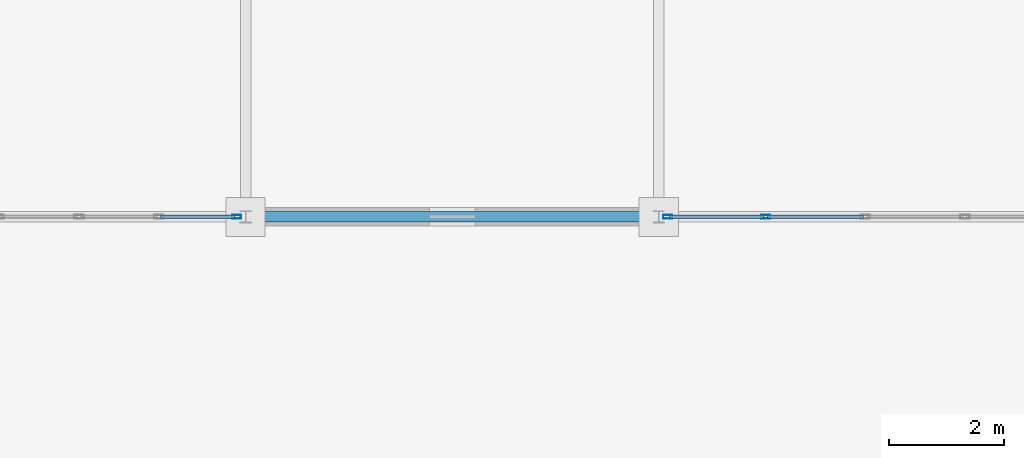
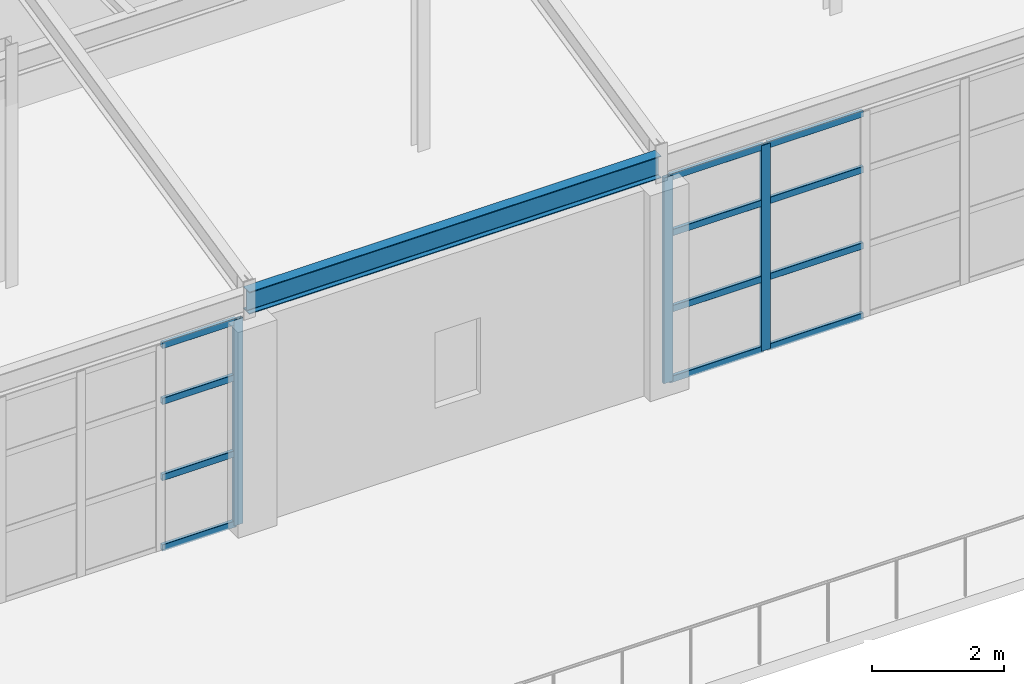
# One storey, part 49 of 101: 15 members, 1 beam, 2 elements without a shape of their own.
"""IFC4 building model written with IfcOpenShell, lengths in metres."""

from ifc_helpers import new_model, si_unit, direction, frame, origin, origin_2d, place, context, subcontext, project, spatial, hollow_rectangle, i_section, extrude, material, layer, layer_set, material_profile, profile_set, type_object, element, aggregate, save


model = new_model("IFC4")

# Units and contexts
model_context = context("Model", 3, precision=1e-05, world=origin(), true_north=direction((0.0, 1.0)))
body_context = subcontext(model_context, "Body", "Model", "MODEL_VIEW")
ifc_project = project(units=[si_unit("LENGTHUNIT", "METRE"), si_unit("AREAUNIT", "SQUARE_METRE"), si_unit("VOLUMEUNIT", "CUBIC_METRE"), si_unit("PLANEANGLEUNIT", "RADIAN"), si_unit("MASSUNIT", "GRAM", prefix="KILO")], contexts=[model_context])

# Site, building, storey
site_placement = place(None, origin())
site = spatial("IfcSite", under=ifc_project, at=site_placement, CompositionType="ELEMENT")
building_placement = place(site_placement, origin())
building = spatial("IfcBuilding", under=site, at=building_placement, Name="Kemerveld Promenade Tramway Depot", CompositionType="ELEMENT")
storey_placement = place(building_placement, frame((0.0, 0.0, 9.89990234375)))
storey = spatial("IfcBuildingStorey", under=building, at=storey_placement, Name="L02", CompositionType="ELEMENT", Elevation=9.89990234375)

# Beam
ifc_material_1 = material(Name="Steel S355", Category="steel")
ifc_material_profile_1 = material_profile(ifc_material_1, i_section(OverallWidth=0.1787109375, OverallDepth=0.409423828125, WebThickness=0.0087890625, FlangeThickness=0.014404296875, FilletRadius=0.01025390625, at=origin_2d()), Name="406x178x67 UB")
ifc_profile_set_1 = profile_set([ifc_material_profile_1], Name="Steel S355")
beam_type = type_object("IfcBeamType", Name="BM-G07", PredefinedType="BEAM", material=ifc_profile_set_1)
beam_placement = place(storey_placement, frame((64.800048828125, 7.199951171875, 4.0703125), z_axis=(1.0, 0.0, 0.0), x_axis=(0.0, 1.0, 0.0)))
element("IfcBeam", 1, at=beam_placement, inside=storey, type_object=beam_type, Name="BMX-L02-10-11-B", PredefinedType="BEAM", context=body_context, shape_type="SweptSolid", body=[
    extrude(i_section(OverallWidth=0.1787109375, OverallDepth=0.409423828125, WebThickness=0.0087890625, FlangeThickness=0.014404296875, FilletRadius=0.01025390625, at=origin_2d()), origin(), (0.0, 0.0, 1.0), 7.199951171875),
])

# Curtain wall, members
ifc_material_2 = material(Name="Bronze anodised aluminium and solar glass", Category="aluminium")
ifc_layer_1 = layer(ifc_material_2, 0.159912109375)
ifc_layer_set_1 = layer_set([ifc_layer_1], Name="CW-SYS-11")
curtain_wall_type_1 = type_object("IfcCurtainWallType", Name="CW-SYS-11", PredefinedType="USERDEFINED", material=ifc_layer_set_1)
curtain_wall_1_placement = place(storey_placement, origin())
curtain_wall_1 = element("IfcCurtainWall", 2, at=curtain_wall_1_placement, inside=storey, type_object=curtain_wall_type_1, Name="CW-L02-V4S-08", ObjectType="GLAZED_CURTAIN_WALL", PredefinedType="USERDEFINED")
ifc_material_3 = material(Name="Bronze anodised aluminium", Category="aluminium")
ifc_material_profile_2 = material_profile(ifc_material_3, hollow_rectangle(XDim=0.06494140625, YDim=0.159912109375, WallThickness=0.00390625, InnerFilletRadius=0.001953125, OuterFilletRadius=0.00390625, at=origin_2d()), Name="CW-MUL-160x65")
ifc_profile_set_2 = profile_set([ifc_material_profile_2], Name="Bronze anodised aluminium")
member_type_1 = type_object("IfcMemberType", Name="CW-MUL-A", PredefinedType="MULLION", material=ifc_profile_set_2)
member_1_placement = place(storey_placement, frame((73.8623046875, 7.199951171875, 0.0), z_axis=(0.0, 0.0, 1.0), x_axis=(0.0, -1.0, 0.0)))
member_1 = element("IfcMember", 3, at=member_1_placement, type_object=member_type_1, Name="CW11 mullion 4", PredefinedType="MULLION", context=body_context, shape_type="SweptSolid", body=[
    extrude(hollow_rectangle(XDim=0.06494140625, YDim=0.159912109375, WallThickness=0.00390625, InnerFilletRadius=0.001953125, OuterFilletRadius=0.00390625, at=origin_2d()), origin(), (0.0, 0.0, 1.0), 3.800048828125),
])
member_2_placement = place(storey_placement, frame((72.1572265625, 7.199951171875, 0.0), z_axis=(0.0, 0.0, 1.0), x_axis=(0.0, -1.0, 0.0)))
member_2 = element("IfcMember", 4, at=member_2_placement, type_object=member_type_1, Name="CW11 mullion 5", PredefinedType="MULLION", context=body_context, shape_type="SweptSolid", body=[
    extrude(hollow_rectangle(XDim=0.06494140625, YDim=0.159912109375, WallThickness=0.00390625, InnerFilletRadius=0.001953125, OuterFilletRadius=0.00390625, at=origin_2d()), origin(), (0.0, 0.0, 1.0), 3.800048828125),
])

# Curtain wall, member
ifc_layer_2 = layer(ifc_material_2, 0.159912109375)
ifc_layer_set_2 = layer_set([ifc_layer_2], Name="CW-SYS-13")
curtain_wall_type_2 = type_object("IfcCurtainWallType", Name="CW-SYS-13", PredefinedType="USERDEFINED", material=ifc_layer_set_2)
curtain_wall_2_placement = place(storey_placement, origin())
curtain_wall_2 = element("IfcCurtainWall", 5, at=curtain_wall_2_placement, inside=storey, type_object=curtain_wall_type_2, Name="CW-L02-V4S-10", ObjectType="GLAZED_CURTAIN_WALL", PredefinedType="USERDEFINED")
member_3_placement = place(storey_placement, frame((64.642578125, 7.199951171875, 0.0), z_axis=(0.0, 0.0, 1.0), x_axis=(0.0, -1.0, 0.0)))
member_3 = element("IfcMember", 6, at=member_3_placement, type_object=member_type_1, Name="CW13 mullion 1", PredefinedType="MULLION", context=body_context, shape_type="SweptSolid", body=[
    extrude(hollow_rectangle(XDim=0.06494140625, YDim=0.159912109375, WallThickness=0.00390625, InnerFilletRadius=0.001953125, OuterFilletRadius=0.00390625, at=origin_2d()), origin(), (0.0, 0.0, 1.0), 3.800048828125),
])

# Member
ifc_material_profile_3 = material_profile(ifc_material_3, hollow_rectangle(XDim=0.06005859375, YDim=0.1201171875, WallThickness=0.00390625, InnerFilletRadius=0.001953125, OuterFilletRadius=0.00390625, at=origin_2d()), Name="CW-TRN-120x60")
ifc_profile_set_3 = profile_set([ifc_material_profile_3], Name="Bronze anodised aluminium")
member_type_2 = type_object("IfcMemberType", Name="CW-TRN-A", PredefinedType="USERDEFINED", material=ifc_profile_set_3)
member_4_placement = place(storey_placement, frame((75.5673828125, 7.199951171875, 0.030029296875), z_axis=(-1.0, 0.0, 0.0), x_axis=(0.0, -1.0, 0.0)))
member_4 = element("IfcMember", 7, at=member_4_placement, type_object=member_type_2, Name="CW11 transom 3.1", ObjectType="TRANSOM", PredefinedType="USERDEFINED", context=body_context, shape_type="SweptSolid", body=[
    extrude(hollow_rectangle(XDim=0.06005859375, YDim=0.1201171875, WallThickness=0.00390625, InnerFilletRadius=0.001953125, OuterFilletRadius=0.00390625, at=origin_2d()), origin(), (0.0, 0.0, 1.0), 1.67236328125),
])

member_5_placement = place(storey_placement, frame((75.5673828125, 7.199951171875, 1.330078125), z_axis=(-1.0, 0.0, 0.0), x_axis=(0.0, -1.0, 0.0)))
member_5 = element("IfcMember", 8, at=member_5_placement, type_object=member_type_2, Name="CW11 transom 3.2", ObjectType="TRANSOM", PredefinedType="USERDEFINED", context=body_context, shape_type="SweptSolid", body=[
    extrude(hollow_rectangle(XDim=0.06005859375, YDim=0.1201171875, WallThickness=0.00390625, InnerFilletRadius=0.001953125, OuterFilletRadius=0.00390625, at=origin_2d()), origin(), (0.0, 0.0, 1.0), 1.67236328125),
])

member_6_placement = place(storey_placement, frame((75.5673828125, 7.199951171875, 2.736083984375), z_axis=(-1.0, 0.0, 0.0), x_axis=(0.0, -1.0, 0.0)))
member_6 = element("IfcMember", 9, at=member_6_placement, type_object=member_type_2, Name="CW11 transom 3.3", ObjectType="TRANSOM", PredefinedType="USERDEFINED", context=body_context, shape_type="SweptSolid", body=[
    extrude(hollow_rectangle(XDim=0.06005859375, YDim=0.1201171875, WallThickness=0.00390625, InnerFilletRadius=0.001953125, OuterFilletRadius=0.00390625, at=origin_2d()), origin(), (0.0, 0.0, 1.0), 1.67236328125),
])

member_7_placement = place(storey_placement, frame((75.5673828125, 7.199951171875, 3.77001953125), z_axis=(-1.0, 0.0, 0.0), x_axis=(0.0, -1.0, 0.0)))
member_7 = element("IfcMember", 10, at=member_7_placement, type_object=member_type_2, Name="CW11 transom 3.4", ObjectType="TRANSOM", PredefinedType="USERDEFINED", context=body_context, shape_type="SweptSolid", body=[
    extrude(hollow_rectangle(XDim=0.06005859375, YDim=0.1201171875, WallThickness=0.00390625, InnerFilletRadius=0.001953125, OuterFilletRadius=0.00390625, at=origin_2d()), origin(), (0.0, 0.0, 1.0), 1.67236328125),
])

member_8_placement = place(storey_placement, frame((73.829833984375, 7.199951171875, 0.030029296875), z_axis=(-1.0, 0.0, 0.0), x_axis=(0.0, -1.0, 0.0)))
member_8 = element("IfcMember", 11, at=member_8_placement, type_object=member_type_2, Name="CW11 transom 4.1", ObjectType="TRANSOM", PredefinedType="USERDEFINED", context=body_context, shape_type="SweptSolid", body=[
    extrude(hollow_rectangle(XDim=0.06005859375, YDim=0.1201171875, WallThickness=0.00390625, InnerFilletRadius=0.001953125, OuterFilletRadius=0.00390625, at=origin_2d()), origin(), (0.0, 0.0, 1.0), 1.64013671875),
])

member_9_placement = place(storey_placement, frame((73.829833984375, 7.199951171875, 1.330078125), z_axis=(-1.0, 0.0, 0.0), x_axis=(0.0, -1.0, 0.0)))
member_9 = element("IfcMember", 12, at=member_9_placement, type_object=member_type_2, Name="CW11 transom 4.2", ObjectType="TRANSOM", PredefinedType="USERDEFINED", context=body_context, shape_type="SweptSolid", body=[
    extrude(hollow_rectangle(XDim=0.06005859375, YDim=0.1201171875, WallThickness=0.00390625, InnerFilletRadius=0.001953125, OuterFilletRadius=0.00390625, at=origin_2d()), origin(), (0.0, 0.0, 1.0), 1.64013671875),
])

member_10_placement = place(storey_placement, frame((73.829833984375, 7.199951171875, 2.736083984375), z_axis=(-1.0, 0.0, 0.0), x_axis=(0.0, -1.0, 0.0)))
member_10 = element("IfcMember", 13, at=member_10_placement, type_object=member_type_2, Name="CW11 transom 4.3", ObjectType="TRANSOM", PredefinedType="USERDEFINED", context=body_context, shape_type="SweptSolid", body=[
    extrude(hollow_rectangle(XDim=0.06005859375, YDim=0.1201171875, WallThickness=0.00390625, InnerFilletRadius=0.001953125, OuterFilletRadius=0.00390625, at=origin_2d()), origin(), (0.0, 0.0, 1.0), 1.64013671875),
])

member_11_placement = place(storey_placement, frame((73.829833984375, 7.199951171875, 3.77001953125), z_axis=(-1.0, 0.0, 0.0), x_axis=(0.0, -1.0, 0.0)))
member_11 = element("IfcMember", 14, at=member_11_placement, type_object=member_type_2, Name="CW11 transom 4.4", ObjectType="TRANSOM", PredefinedType="USERDEFINED", context=body_context, shape_type="SweptSolid", body=[
    extrude(hollow_rectangle(XDim=0.06005859375, YDim=0.1201171875, WallThickness=0.00390625, InnerFilletRadius=0.001953125, OuterFilletRadius=0.00390625, at=origin_2d()), origin(), (0.0, 0.0, 1.0), 1.64013671875),
])

aggregate(curtain_wall_1, [member_1, member_2, member_4, member_5, member_6, member_7, member_8, member_9, member_10, member_11])

member_12_placement = place(storey_placement, frame((64.610107421875, 7.199951171875, 0.030029296875), z_axis=(-1.0, 0.0, 0.0), x_axis=(0.0, -1.0, 0.0)))
member_12 = element("IfcMember", 15, at=member_12_placement, type_object=member_type_2, Name="CW13 transom 1.1", ObjectType="TRANSOM", PredefinedType="USERDEFINED", context=body_context, shape_type="SweptSolid", body=[
    extrude(hollow_rectangle(XDim=0.06005859375, YDim=0.1201171875, WallThickness=0.00390625, InnerFilletRadius=0.001953125, OuterFilletRadius=0.00390625, at=origin_2d()), origin(), (0.0, 0.0, 1.0), 1.29248046875),
])

member_13_placement = place(storey_placement, frame((64.610107421875, 7.199951171875, 1.330078125), z_axis=(-1.0, 0.0, 0.0), x_axis=(0.0, -1.0, 0.0)))
member_13 = element("IfcMember", 16, at=member_13_placement, type_object=member_type_2, Name="CW13 transom 1.2", ObjectType="TRANSOM", PredefinedType="USERDEFINED", context=body_context, shape_type="SweptSolid", body=[
    extrude(hollow_rectangle(XDim=0.06005859375, YDim=0.1201171875, WallThickness=0.00390625, InnerFilletRadius=0.001953125, OuterFilletRadius=0.00390625, at=origin_2d()), origin(), (0.0, 0.0, 1.0), 1.29248046875),
])

member_14_placement = place(storey_placement, frame((64.610107421875, 7.199951171875, 2.736083984375), z_axis=(-1.0, 0.0, 0.0), x_axis=(0.0, -1.0, 0.0)))
member_14 = element("IfcMember", 17, at=member_14_placement, type_object=member_type_2, Name="CW13 transom 1.3", ObjectType="TRANSOM", PredefinedType="USERDEFINED", context=body_context, shape_type="SweptSolid", body=[
    extrude(hollow_rectangle(XDim=0.06005859375, YDim=0.1201171875, WallThickness=0.00390625, InnerFilletRadius=0.001953125, OuterFilletRadius=0.00390625, at=origin_2d()), origin(), (0.0, 0.0, 1.0), 1.29248046875),
])

member_15_placement = place(storey_placement, frame((64.610107421875, 7.199951171875, 3.77001953125), z_axis=(-1.0, 0.0, 0.0), x_axis=(0.0, -1.0, 0.0)))
member_15 = element("IfcMember", 18, at=member_15_placement, type_object=member_type_2, Name="CW13 transom 1.4", ObjectType="TRANSOM", PredefinedType="USERDEFINED", context=body_context, shape_type="SweptSolid", body=[
    extrude(hollow_rectangle(XDim=0.06005859375, YDim=0.1201171875, WallThickness=0.00390625, InnerFilletRadius=0.001953125, OuterFilletRadius=0.00390625, at=origin_2d()), origin(), (0.0, 0.0, 1.0), 1.29248046875),
])

aggregate(curtain_wall_2, [member_3, member_12, member_13, member_14, member_15])

save(model, "model.ifc")
